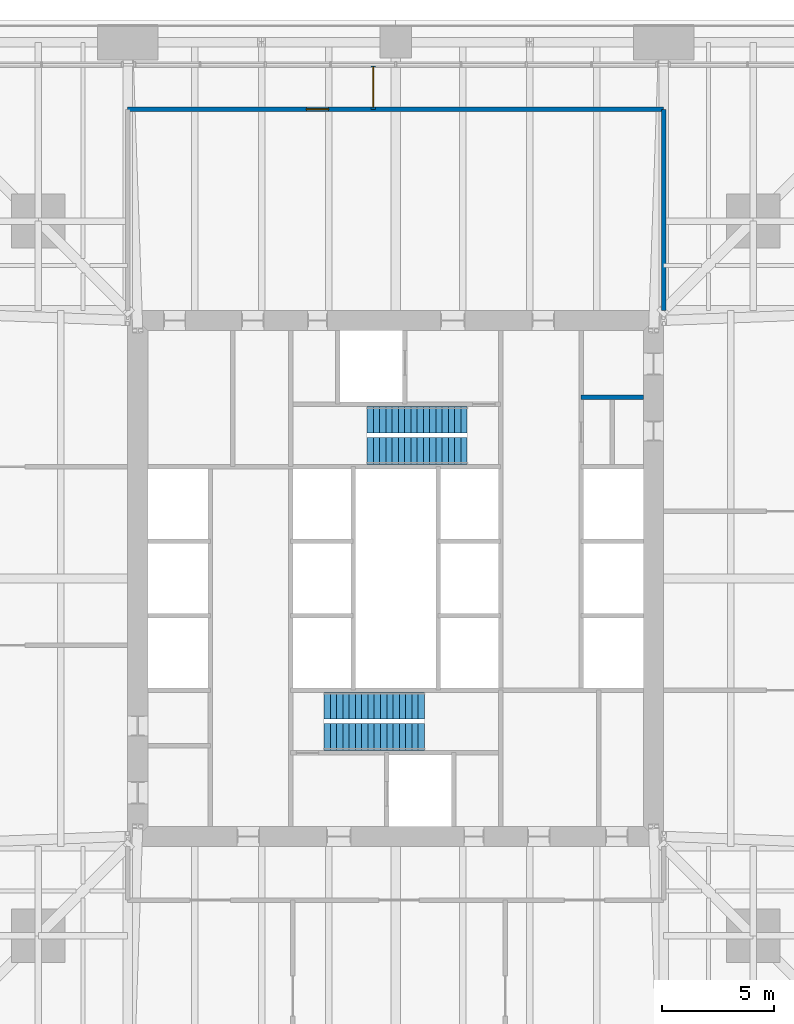
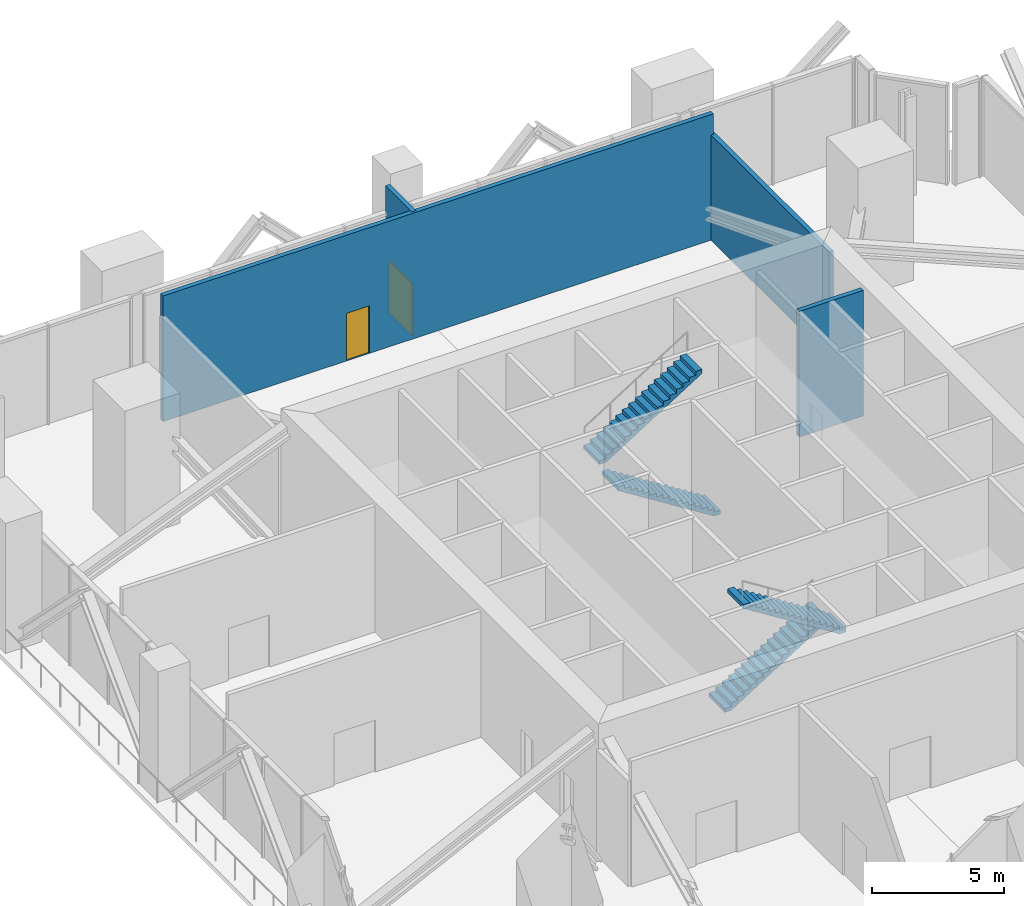
# One storey, part 10 of 13: 4 stair flights, 4 walls, 2 doors, 2 openings, 2 elements without a shape of their own.
"""IFC4 building model written with IfcOpenShell, lengths in metres."""

from ifc_helpers import new_model, si_unit, direction, frame, frame_2d, origin, place, context, subcontext, project, spatial, polyline, rectangle, outline, extrude, material, layer, layer_set, type_object, element, fill, aggregate, save


model = new_model("IFC4")

# Units and contexts
model_context = context("Model", 3, precision=1e-05, world=origin(), true_north=direction((0.0, 1.0)))
body_context = subcontext(model_context, "Body", "Model", "MODEL_VIEW")
ifc_project = project(units=[si_unit("LENGTHUNIT", "METRE"), si_unit("AREAUNIT", "SQUARE_METRE"), si_unit("VOLUMEUNIT", "CUBIC_METRE"), si_unit("PLANEANGLEUNIT", "RADIAN"), si_unit("MASSUNIT", "GRAM", prefix="KILO")], contexts=[model_context])

# Site, building, storey
site_placement = place(None, origin())
site = spatial("IfcSite", under=ifc_project, at=site_placement, CompositionType="ELEMENT")
building_placement = place(site_placement, origin())
building = spatial("IfcBuilding", under=site, at=building_placement, Name="Fenwick Lantern Interchange", CompositionType="ELEMENT")
storey_placement = place(building_placement, frame((0.0, 0.0, 91.0)))
storey = spatial("IfcBuildingStorey", under=building, at=storey_placement, Name="L21", CompositionType="ELEMENT", Elevation=91.0)

# Wall
ifc_material_1 = material(Name="Concrete masonry ASTM C90 Grade N", Category="masonry")
ifc_layer_1 = layer(ifc_material_1, 0.199951171875)
ifc_layer_set_1 = layer_set([ifc_layer_1], Name="Concrete masonry ASTM C90 Grade N")
wall_type_1 = type_object("IfcWallType", Name="CORE PARTITION 200", PredefinedType="PARTITIONING", material=ifc_layer_set_1)
wall_1_placement = place(storey_placement, frame((36.10009765625, 33.10009765625, 0.0), z_axis=(0.0, 0.0, 1.0), x_axis=(-1.0, 0.0, 0.0)))
element("IfcWall", 1, at=wall_1_placement, inside=storey, type_object=wall_type_1, Name="L21/W/COREN/p1", PredefinedType="PARTITIONING", context=body_context, shape_type="SweptSolid", body=[
    extrude(rectangle(XDim=2.800048828125, YDim=0.199951171875, at=frame_2d((1.39990234375, 0.0))), origin(), (0.0, 0.0, 1.0), 5.800048828125),
])

# Wall, opening, door
ifc_layer_2 = layer(ifc_material_1, 0.199951171875)
ifc_layer_set_2 = layer_set([ifc_layer_2], Name="Concrete masonry ASTM C90 Grade N")
wall_type_2 = type_object("IfcWallType", Name="PLANT ROOM WALL 200", PredefinedType="PARTITIONING", material=ifc_layer_set_2)
wall_2_placement = place(storey_placement, frame((24.0, 46.0, 0.0), z_axis=(0.0, 0.0, 1.0), x_axis=(0.0, 1.0, 0.0)))
wall_2 = element("IfcWall", 2, at=wall_2_placement, inside=storey, type_object=wall_type_2, Name="L21/W/FLOOR/PW5", PredefinedType="PARTITIONING", context=body_context, shape_type="SweptSolid", body=[
    extrude(rectangle(XDim=2.0, YDim=0.199951171875, at=frame_2d((1.0, 0.0))), origin(), (0.0, 0.0, 1.0), 5.800048828125),
])
opening_1_placement = place(wall_2_placement, frame((0.10009765625, 0.0, 0.0)))
opening_1 = element("IfcOpeningElement", 3, at=opening_1_placement, cuts=wall_2, Name="Opening L21-D024", PredefinedType="OPENING", context=body_context, shape_type="SweptSolid", body=[
    extrude(rectangle(XDim=1.800048828125, YDim=2.39990234375, at=frame_2d((0.89990234375, 1.199951171875))), frame((0.0, 0.10986328125, 0.0), z_axis=(0.0, -1.0, 0.0), x_axis=(1.0, 0.0, 0.0)), (0.0, 0.0, 1.0), 0.219970703125),
])
ifc_material_2 = material(Name="Steel door and frame", Category="steel")
door_type_1 = type_object("IfcDoorType", Name="ROOM DOOR PAIR 1800 X 2400", OperationType="DOUBLE_DOOR_SINGLE_SWING", PredefinedType="DOOR", material=ifc_material_2)
door_1_placement = place(opening_1_placement, origin())
door_1 = element("IfcDoor", 4, at=door_1_placement, inside=storey, type_object=door_type_1, Name="Room door pair", OperationType="DOUBLE_DOOR_SINGLE_SWING", OverallHeight=2.39990234375, OverallWidth=1.800048828125, PredefinedType="DOOR", context=body_context, shape_type="SweptSolid", body=[
    extrude(rectangle(XDim=1.800048828125, YDim=2.39990234375, at=frame_2d((0.89990234375, 1.199951171875))), frame((0.0, 0.02490234375, 0.0), z_axis=(0.0, -1.0, 0.0), x_axis=(1.0, 0.0, 0.0)), (0.0, 0.0, 1.0), 0.050048828125),
])
fill(opening_1, door_1)

ifc_layer_3 = layer(ifc_material_1, 0.199951171875)
ifc_layer_set_3 = layer_set([ifc_layer_3], Name="Concrete masonry ASTM C90 Grade N")
wall_type_3 = type_object("IfcWallType", Name="REFUGE WALL 200", PredefinedType="PARTITIONING", material=ifc_layer_set_3)
wall_3_placement = place(storey_placement, frame((13.0, 46.0, 0.0), z_axis=(0.0, 0.0, 1.0), x_axis=(1.0, 0.0, 0.0)))
wall_3 = element("IfcWall", 5, at=wall_3_placement, inside=storey, type_object=wall_type_3, Name="L21/W/FLOOR/REF-W", PredefinedType="PARTITIONING", context=body_context, shape_type="SweptSolid", body=[
    extrude(rectangle(XDim=24.0, YDim=0.199951171875, at=frame_2d((12.0, 0.0))), origin(), (0.0, 0.0, 1.0), 5.800048828125),
])
opening_2_placement = place(wall_3_placement, frame((8.0, 0.0, 0.0)))
opening_2 = element("IfcOpeningElement", 6, at=opening_2_placement, cuts=wall_3, Name="Opening L21-D019", PredefinedType="OPENING", context=body_context, shape_type="SweptSolid", body=[
    extrude(rectangle(XDim=1.0, YDim=2.199951171875, at=frame_2d((0.5, 1.10009765625))), frame((0.0, 0.10986328125, 0.0), z_axis=(0.0, -1.0, 0.0), x_axis=(1.0, 0.0, 0.0)), (0.0, 0.0, 1.0), 0.219970703125),
])
door_type_2 = type_object("IfcDoorType", Name="FIRE LOBBY DOOR 1000 X 2200", OperationType="SINGLE_SWING_LEFT", PredefinedType="DOOR", material=ifc_material_2)
door_2_placement = place(opening_2_placement, origin())
door_2 = element("IfcDoor", 7, at=door_2_placement, inside=storey, type_object=door_type_2, Name="Fire lobby door", OperationType="SINGLE_SWING_RIGHT", OverallHeight=2.199951171875, OverallWidth=1.0, PredefinedType="DOOR", context=body_context, shape_type="SweptSolid", body=[
    extrude(rectangle(XDim=1.0, YDim=2.199951171875, at=frame_2d((0.5, 1.10009765625))), frame((0.0, 0.02490234375, 0.0), z_axis=(0.0, -1.0, 0.0), x_axis=(1.0, 0.0, 0.0)), (0.0, 0.0, 1.0), 0.050048828125),
])
fill(opening_2, door_2)

# Wall
wall_4_placement = place(storey_placement, frame((37.0, 46.0, 0.0), z_axis=(0.0, 0.0, 1.0), x_axis=(0.0, -1.0, 0.0)))
element("IfcWall", 8, at=wall_4_placement, inside=storey, type_object=wall_type_3, Name="L21/W/FLOOR/REF-E", PredefinedType="PARTITIONING", context=body_context, shape_type="SweptSolid", body=[
    extrude(rectangle(XDim=9.0, YDim=0.199951171875, at=frame_2d((4.5, 0.0))), origin(), (0.0, 0.0, 1.0), 4.8525390625),
])

# Stair, stair flights
ifc_material_3 = material(Name="Precast concrete f'c 35 MPa", Category="concrete")
stair_type = type_object("IfcStairType", Name="EXIT STAIR 1200", PredefinedType="HALF_TURN_STAIR", material=ifc_material_3)
stair_1_placement = place(storey_placement, origin())
stair_1 = element("IfcStair", 9, at=stair_1_placement, inside=storey, type_object=stair_type, Name="Exit stair ST1", PredefinedType="HALF_TURN_STAIR")
stair_flight_type = type_object("IfcStairFlightType", Name="STAIR FLIGHT 1200", PredefinedType="STRAIGHT", material=ifc_material_3)
stair_flight_1_placement = place(storey_placement, frame((21.800048828125, 19.300048828125, 0.0), z_axis=(0.0, 0.0, 1.0), x_axis=(1.0, 0.0, 0.0)))
stair_flight_1 = element("IfcStairFlight", 10, at=stair_flight_1_placement, type_object=stair_flight_type, Name="ST1 flight 1", NumberOfRisers=17, NumberOfTreads=16, PredefinedType="STRAIGHT", RiserHeight=0.176470588, TreadLength=0.28, context=body_context, shape_type="SweptSolid", body=[
    extrude(outline(polyline([(0.0, 0.0), (0.0, 0.176513671875), (0.280029296875, 0.176513671875), (0.280029296875, 0.35302734375), (0.56005859375, 0.35302734375), (0.56005859375, 0.529296875), (0.840087890625, 0.529296875), (0.840087890625, 0.705810546875), (1.1201171875, 0.705810546875), (1.1201171875, 0.88232421875), (1.39990234375, 0.88232421875), (1.39990234375, 1.058837890625), (1.679931640625, 1.058837890625), (1.679931640625, 1.2353515625), (1.9599609375, 1.2353515625), (1.9599609375, 1.411865234375), (2.239990234375, 1.411865234375), (2.239990234375, 1.588134765625), (2.52001953125, 1.588134765625), (2.52001953125, 1.7646484375), (2.800048828125, 1.7646484375), (2.800048828125, 1.941162109375), (3.080078125, 1.941162109375), (3.080078125, 2.11767578125), (3.360107421875, 2.11767578125), (3.360107421875, 2.294189453125), (3.639892578125, 2.294189453125), (3.639892578125, 2.470703125), (3.919921875, 2.470703125), (3.919921875, 2.64697265625), (4.199951171875, 2.64697265625), (4.199951171875, 2.823486328125), (4.47998046875, 2.823486328125), (4.47998046875, 3.0), (4.47998046875, 2.646240234375), (0.28125, 0.0), (0.0, 0.0)])), frame((0.0, 0.60009765625, 0.0), z_axis=(0.0, -1.0, 0.0), x_axis=(1.0, 0.0, 0.0)), (0.0, 0.0, 1.0), 1.199951171875),
])
stair_flight_2_placement = place(storey_placement, frame((26.280029296875, 17.89990234375, 3.0), z_axis=(0.0, 0.0, 1.0), x_axis=(-1.0, 0.0, 0.0)))
stair_flight_2 = element("IfcStairFlight", 11, at=stair_flight_2_placement, type_object=stair_flight_type, Name="ST1 flight 2", NumberOfRisers=17, NumberOfTreads=16, PredefinedType="STRAIGHT", RiserHeight=0.176470588, TreadLength=0.28, context=body_context, shape_type="SweptSolid", body=[
    extrude(outline(polyline([(0.0, 0.0), (0.0, 0.176513671875), (0.280029296875, 0.176513671875), (0.280029296875, 0.35302734375), (0.56005859375, 0.35302734375), (0.56005859375, 0.529296875), (0.840087890625, 0.529296875), (0.840087890625, 0.705810546875), (1.1201171875, 0.705810546875), (1.1201171875, 0.88232421875), (1.39990234375, 0.88232421875), (1.39990234375, 1.058837890625), (1.679931640625, 1.058837890625), (1.679931640625, 1.2353515625), (1.9599609375, 1.2353515625), (1.9599609375, 1.411865234375), (2.239990234375, 1.411865234375), (2.239990234375, 1.588134765625), (2.52001953125, 1.588134765625), (2.52001953125, 1.7646484375), (2.800048828125, 1.7646484375), (2.800048828125, 1.941162109375), (3.080078125, 1.941162109375), (3.080078125, 2.11767578125), (3.360107421875, 2.11767578125), (3.360107421875, 2.294189453125), (3.639892578125, 2.294189453125), (3.639892578125, 2.470703125), (3.919921875, 2.470703125), (3.919921875, 2.64697265625), (4.199951171875, 2.64697265625), (4.199951171875, 2.823486328125), (4.47998046875, 2.823486328125), (4.47998046875, 3.0), (4.47998046875, 2.646240234375), (0.28125, 0.0), (0.0, 0.0)])), frame((0.0, 0.60009765625, 0.0), z_axis=(0.0, -1.0, 0.0), x_axis=(1.0, 0.0, 0.0)), (0.0, 0.0, 1.0), 1.199951171875),
])
aggregate(stair_1, [stair_flight_1, stair_flight_2])

stair_2_placement = place(storey_placement, origin())
stair_2 = element("IfcStair", 12, at=stair_2_placement, inside=storey, type_object=stair_type, Name="Exit stair ST2", PredefinedType="HALF_TURN_STAIR")
stair_flight_3_placement = place(storey_placement, frame((28.199951171875, 30.699951171875, 0.0), z_axis=(0.0, 0.0, 1.0), x_axis=(-1.0, 0.0, 0.0)))
stair_flight_3 = element("IfcStairFlight", 13, at=stair_flight_3_placement, type_object=stair_flight_type, Name="ST2 flight 1", NumberOfRisers=17, NumberOfTreads=16, PredefinedType="STRAIGHT", RiserHeight=0.176470588, TreadLength=0.28, context=body_context, shape_type="SweptSolid", body=[
    extrude(outline(polyline([(0.0, 0.0), (0.0, 0.176513671875), (0.280029296875, 0.176513671875), (0.280029296875, 0.35302734375), (0.56005859375, 0.35302734375), (0.56005859375, 0.529296875), (0.840087890625, 0.529296875), (0.840087890625, 0.705810546875), (1.1201171875, 0.705810546875), (1.1201171875, 0.88232421875), (1.39990234375, 0.88232421875), (1.39990234375, 1.058837890625), (1.679931640625, 1.058837890625), (1.679931640625, 1.2353515625), (1.9599609375, 1.2353515625), (1.9599609375, 1.411865234375), (2.239990234375, 1.411865234375), (2.239990234375, 1.588134765625), (2.52001953125, 1.588134765625), (2.52001953125, 1.7646484375), (2.800048828125, 1.7646484375), (2.800048828125, 1.941162109375), (3.080078125, 1.941162109375), (3.080078125, 2.11767578125), (3.360107421875, 2.11767578125), (3.360107421875, 2.294189453125), (3.639892578125, 2.294189453125), (3.639892578125, 2.470703125), (3.919921875, 2.470703125), (3.919921875, 2.64697265625), (4.199951171875, 2.64697265625), (4.199951171875, 2.823486328125), (4.47998046875, 2.823486328125), (4.47998046875, 3.0), (4.47998046875, 2.646240234375), (0.28125, 0.0), (0.0, 0.0)])), frame((0.0, 0.60009765625, 0.0), z_axis=(0.0, -1.0, 0.0), x_axis=(1.0, 0.0, 0.0)), (0.0, 0.0, 1.0), 1.199951171875),
])
stair_flight_4_placement = place(storey_placement, frame((23.719970703125, 32.10009765625, 3.0), z_axis=(0.0, 0.0, 1.0), x_axis=(1.0, 0.0, 0.0)))
stair_flight_4 = element("IfcStairFlight", 14, at=stair_flight_4_placement, type_object=stair_flight_type, Name="ST2 flight 2", NumberOfRisers=17, NumberOfTreads=16, PredefinedType="STRAIGHT", RiserHeight=0.176470588, TreadLength=0.28, context=body_context, shape_type="SweptSolid", body=[
    extrude(outline(polyline([(0.0, 0.0), (0.0, 0.176513671875), (0.280029296875, 0.176513671875), (0.280029296875, 0.35302734375), (0.56005859375, 0.35302734375), (0.56005859375, 0.529296875), (0.840087890625, 0.529296875), (0.840087890625, 0.705810546875), (1.1201171875, 0.705810546875), (1.1201171875, 0.88232421875), (1.39990234375, 0.88232421875), (1.39990234375, 1.058837890625), (1.679931640625, 1.058837890625), (1.679931640625, 1.2353515625), (1.9599609375, 1.2353515625), (1.9599609375, 1.411865234375), (2.239990234375, 1.411865234375), (2.239990234375, 1.588134765625), (2.52001953125, 1.588134765625), (2.52001953125, 1.7646484375), (2.800048828125, 1.7646484375), (2.800048828125, 1.941162109375), (3.080078125, 1.941162109375), (3.080078125, 2.11767578125), (3.360107421875, 2.11767578125), (3.360107421875, 2.294189453125), (3.639892578125, 2.294189453125), (3.639892578125, 2.470703125), (3.919921875, 2.470703125), (3.919921875, 2.64697265625), (4.199951171875, 2.64697265625), (4.199951171875, 2.823486328125), (4.47998046875, 2.823486328125), (4.47998046875, 3.0), (4.47998046875, 2.646240234375), (0.28125, 0.0), (0.0, 0.0)])), frame((0.0, 0.60009765625, 0.0), z_axis=(0.0, -1.0, 0.0), x_axis=(1.0, 0.0, 0.0)), (0.0, 0.0, 1.0), 1.199951171875),
])
aggregate(stair_2, [stair_flight_3, stair_flight_4])

save(model, "model.ifc")
